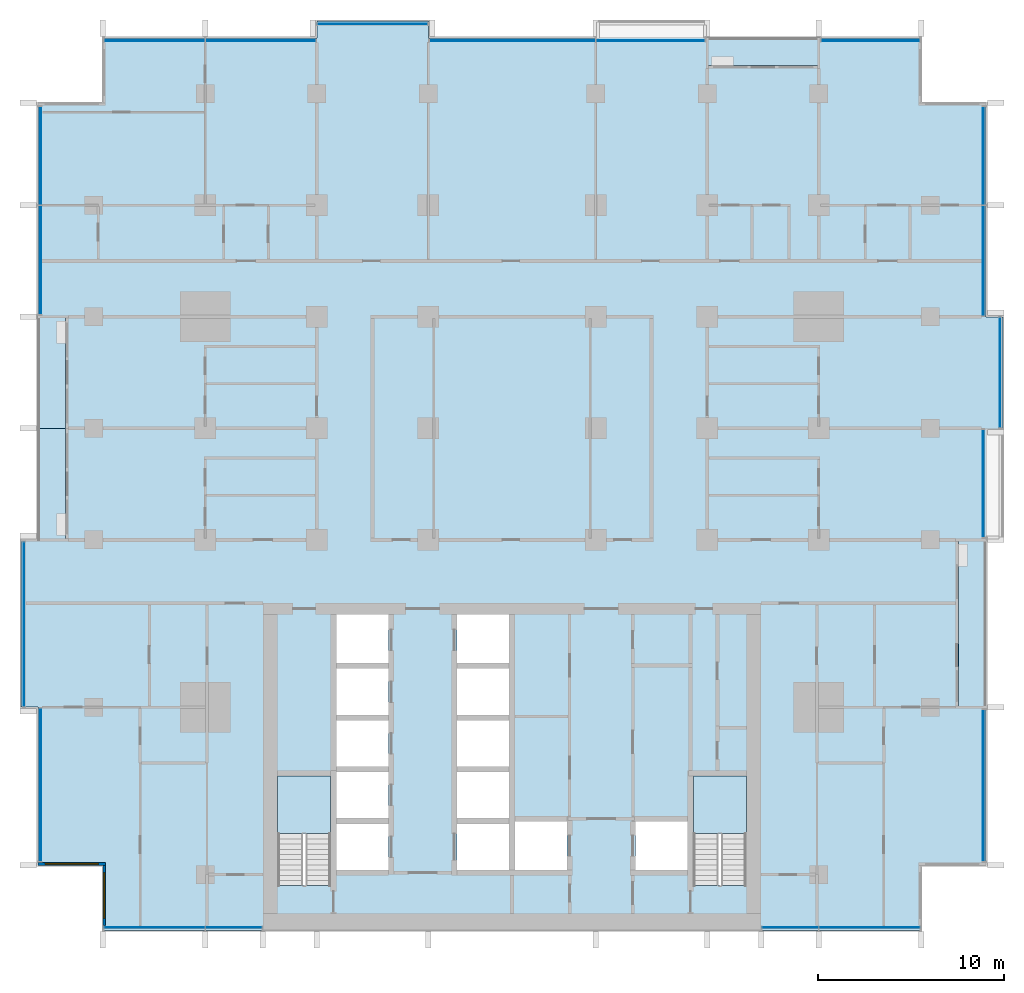
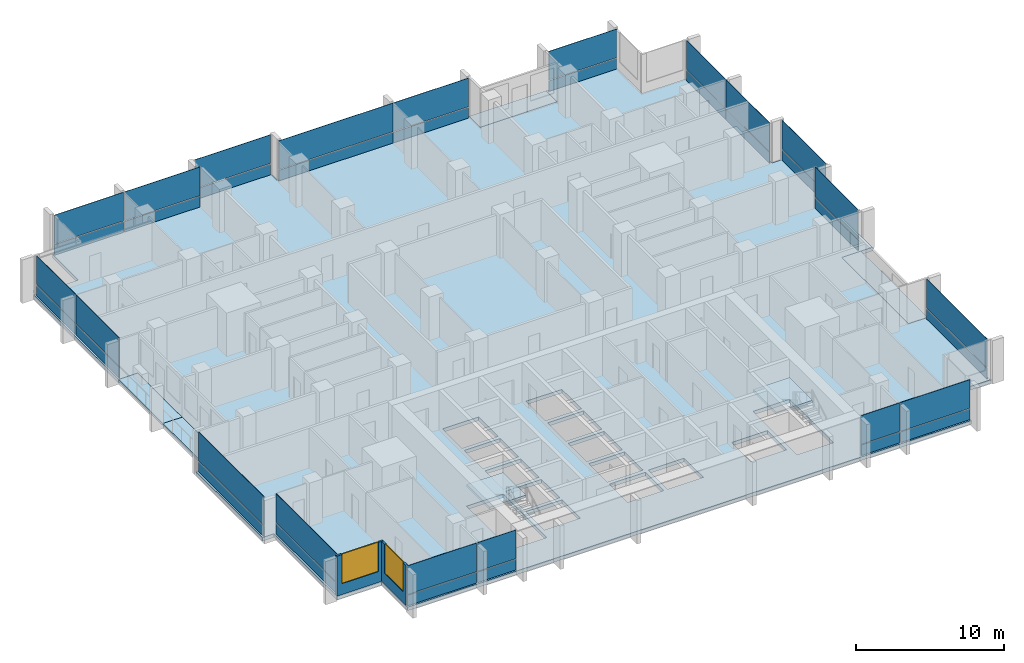
# One storey, part 6 of 17: 38 plates, 7 slabs, 2 walls, 2 windows, 2 openings, 15 elements without a shape of their own.
"""IFC4 building model written with IfcOpenShell, lengths in metres."""

from ifc_helpers import new_model, si_unit, direction, frame, frame_2d, origin, origin_2d, place, context, subcontext, project, spatial, polyline, rectangle, outline, extrude, material, layer, layer_set, type_object, element, fill, aggregate, save


model = new_model("IFC4")

# Units and contexts
model_context = context("Model", 3, precision=1e-05, world=origin(), true_north=direction((0.0, 1.0)))
body_context = subcontext(model_context, "Body", "Model", "MODEL_VIEW")
ifc_project = project(units=[si_unit("LENGTHUNIT", "METRE"), si_unit("AREAUNIT", "SQUARE_METRE"), si_unit("VOLUMEUNIT", "CUBIC_METRE"), si_unit("PLANEANGLEUNIT", "RADIAN"), si_unit("MASSUNIT", "GRAM", prefix="KILO")], contexts=[model_context])

# Site, building, storey
site_placement = place(None, origin())
site = spatial("IfcSite", under=ifc_project, at=site_placement, CompositionType="ELEMENT")
building_placement = place(site_placement, origin())
building = spatial("IfcBuilding", under=site, at=building_placement, Name="Finial Court Residences", CompositionType="ELEMENT")
storey_placement = place(building_placement, frame((0.0, 0.0, 117.10009765625)))
storey = spatial("IfcBuildingStorey", under=building, at=storey_placement, Name="L29", CompositionType="ELEMENT", Elevation=117.10009765625)

# Slabs
ifc_material_1 = material(Name="Concrete C35/45", Category="concrete")
ifc_layer_1 = layer(ifc_material_1, 0.199951171875)
ifc_layer_set_1 = layer_set([ifc_layer_1], Name="Balcony slab, Concrete C35/45 200")
slab_type_1 = type_object("IfcSlabType", Name="Balcony slab, Concrete C35/45 200", PredefinedType="FLOOR", material=ifc_layer_set_1)
slab_1_placement = place(storey_placement, frame((0.0, 0.0, -0.2001953125)))
element("IfcSlab", 1, at=slab_1_placement, inside=storey, type_object=slab_type_1, Name="Balcony L29-N6", PredefinedType="FLOOR", context=body_context, shape_type="SweptSolid", body=[
    extrude(outline(polyline([(16.5, 21.0), (16.5, 22.5), (10.5, 22.5), (10.5, 21.0), (16.5, 21.0)])), origin(), (0.0, 0.0, 1.0), 0.2001953125),
])
slab_2_placement = place(storey_placement, frame((0.0, 0.0, -0.2001953125)))
element("IfcSlab", 2, at=slab_2_placement, inside=storey, type_object=slab_type_1, Name="Balcony L29-E2", PredefinedType="FLOOR", context=body_context, shape_type="SweptSolid", body=[
    extrude(outline(polyline([(25.5, -13.5), (25.5, -4.5), (24.0, -4.5), (24.0, -13.5), (25.5, -13.5)])), origin(), (0.0, 0.0, 1.0), 0.2001953125),
])
slab_3_placement = place(storey_placement, frame((0.0, 0.0, -0.2001953125)))
element("IfcSlab", 3, at=slab_3_placement, inside=storey, type_object=slab_type_1, Name="Balcony L29-W3", PredefinedType="FLOOR", context=body_context, shape_type="SweptSolid", body=[
    extrude(outline(polyline([(-24.0, -4.5), (-24.0, 1.5), (-25.5, 1.5), (-25.5, -4.5), (-24.0, -4.5)])), origin(), (0.0, 0.0, 1.0), 0.2001953125),
])
slab_4_placement = place(storey_placement, frame((0.0, 0.0, -0.2001953125)))
element("IfcSlab", 4, at=slab_4_placement, inside=storey, type_object=slab_type_1, Name="Balcony L29-W4", PredefinedType="FLOOR", context=body_context, shape_type="SweptSolid", body=[
    extrude(outline(polyline([(-24.0, 1.5), (-24.0, 7.5), (-25.5, 7.5), (-25.5, 1.5), (-24.0, 1.5)])), origin(), (0.0, 0.0, 1.0), 0.2001953125),
])

# Curtain wall, plates
ifc_material_2 = material(Name="Bronze anodised aluminium", Category="aluminium")
curtain_wall_type = type_object("IfcCurtainWallType", Name="Unitised curtain wall, lower and middle zones", PredefinedType="NOTDEFINED", material=ifc_material_2)
curtain_wall_1_placement = place(storey_placement, origin())
curtain_wall_1 = element("IfcCurtainWall", 5, at=curtain_wall_1_placement, inside=storey, type_object=curtain_wall_type, Name="E-L29-CW-N1", PredefinedType="NOTDEFINED")
ifc_layer_2 = layer(ifc_material_2, 0.0400390625)
ifc_layer_set_2 = layer_set([ifc_layer_2], Name="CW1 spandrel panel 40")
plate_type_1 = type_object("IfcPlateType", Name="CW1 spandrel panel 40", PredefinedType="CURTAIN_PANEL", material=ifc_layer_set_2)
plate_1_placement = place(storey_placement, frame((-19.23388671875, 22.35009765625, 0.0), z_axis=(0.0, 0.0, 1.0), x_axis=(1.0, 0.0, 0.0)))
plate_1 = element("IfcPlate", 6, at=plate_1_placement, type_object=plate_type_1, Name="CW1 spandrel 1.1", PredefinedType="CURTAIN_PANEL", context=body_context, shape_type="SweptSolid", body=[
    extrude(rectangle(XDim=5.402587890625, YDim=0.0400390625, at=origin_2d()), origin(), (0.0, 0.0, 1.0), 0.867431640625),
])
plate_2_placement = place(storey_placement, frame((-13.516357421875, 22.35009765625, 0.0), z_axis=(0.0, 0.0, 1.0), x_axis=(1.0, 0.0, 0.0)))
plate_2 = element("IfcPlate", 7, at=plate_2_placement, type_object=plate_type_1, Name="CW1 spandrel 2.1", PredefinedType="CURTAIN_PANEL", context=body_context, shape_type="SweptSolid", body=[
    extrude(rectangle(XDim=5.902587890625, YDim=0.0400390625, at=origin_2d()), origin(), (0.0, 0.0, 1.0), 0.867431640625),
])

# Curtain wall, plate
curtain_wall_2_placement = place(storey_placement, origin())
curtain_wall_2 = element("IfcCurtainWall", 8, at=curtain_wall_2_placement, inside=storey, type_object=curtain_wall_type, Name="E-L29-CW-N2", PredefinedType="NOTDEFINED")
plate_3_placement = place(storey_placement, frame((-7.5, 23.25, 0.0), z_axis=(0.0, 0.0, 1.0), x_axis=(1.0, 0.0, 0.0)))
plate_3 = element("IfcPlate", 9, at=plate_3_placement, type_object=plate_type_1, Name="CW1 spandrel 1.1", PredefinedType="CURTAIN_PANEL", context=body_context, shape_type="SweptSolid", body=[
    extrude(rectangle(XDim=5.8701171875, YDim=0.0400390625, at=origin_2d()), origin(), (0.0, 0.0, 1.0), 0.867431640625),
])

# Curtain wall, plates
curtain_wall_3_placement = place(storey_placement, origin())
curtain_wall_3 = element("IfcCurtainWall", 10, at=curtain_wall_3_placement, inside=storey, type_object=curtain_wall_type, Name="E-L29-CW-N3", PredefinedType="NOTDEFINED")
plate_4_placement = place(storey_placement, frame((0.01611328125, 22.35009765625, 0.0), z_axis=(0.0, 0.0, 1.0), x_axis=(1.0, 0.0, 0.0)))
plate_4 = element("IfcPlate", 11, at=plate_4_placement, type_object=plate_type_1, Name="CW1 spandrel 1.1", PredefinedType="CURTAIN_PANEL", context=body_context, shape_type="SweptSolid", body=[
    extrude(rectangle(XDim=8.902587890625, YDim=0.0400390625, at=origin_2d()), origin(), (0.0, 0.0, 1.0), 0.867431640625),
])
plate_5_placement = place(storey_placement, frame((7.4462890625, 22.35009765625, 0.0), z_axis=(0.0, 0.0, 1.0), x_axis=(1.0, 0.0, 0.0)))
plate_5 = element("IfcPlate", 12, at=plate_5_placement, type_object=plate_type_1, Name="CW1 spandrel 2.1", PredefinedType="CURTAIN_PANEL", context=body_context, shape_type="SweptSolid", body=[
    extrude(rectangle(XDim=5.827392578125, YDim=0.0400390625, at=origin_2d()), origin(), (0.0, 0.0, 1.0), 0.867431640625),
])

# Curtain wall, plate
curtain_wall_4_placement = place(storey_placement, origin())
curtain_wall_4 = element("IfcCurtainWall", 13, at=curtain_wall_4_placement, inside=storey, type_object=curtain_wall_type, Name="E-L29-CW-N4", PredefinedType="NOTDEFINED")
plate_6_placement = place(storey_placement, frame((19.28759765625, 22.35009765625, 0.0), z_axis=(0.0, 0.0, 1.0), x_axis=(1.0, 0.0, 0.0)))
plate_6 = element("IfcPlate", 14, at=plate_6_placement, type_object=plate_type_1, Name="CW1 spandrel 1.1", PredefinedType="CURTAIN_PANEL", context=body_context, shape_type="SweptSolid", body=[
    extrude(rectangle(XDim=5.294921875, YDim=0.0400390625, at=origin_2d()), origin(), (0.0, 0.0, 1.0), 0.867431640625),
])

curtain_wall_5_placement = place(storey_placement, origin())
curtain_wall_5 = element("IfcCurtainWall", 15, at=curtain_wall_5_placement, inside=storey, type_object=curtain_wall_type, Name="E-L29-CW-E5", PredefinedType="NOTDEFINED")
plate_7_placement = place(storey_placement, frame((25.35009765625, -17.71240234375, 0.0), z_axis=(0.0, 0.0, 1.0), x_axis=(0.0, 1.0, 0.0)))
plate_7 = element("IfcPlate", 16, at=plate_7_placement, type_object=plate_type_1, Name="CW1 spandrel 1.1", PredefinedType="CURTAIN_PANEL", context=body_context, shape_type="SweptSolid", body=[
    extrude(rectangle(XDim=8.14501953125, YDim=0.0400390625, at=origin_2d()), origin(), (0.0, 0.0, 1.0), 0.867431640625),
])

curtain_wall_6_placement = place(storey_placement, origin())
curtain_wall_6 = element("IfcCurtainWall", 17, at=curtain_wall_6_placement, inside=storey, type_object=curtain_wall_type, Name="E-L29-CW-E6", PredefinedType="NOTDEFINED")
plate_8_placement = place(storey_placement, frame((25.35009765625, -1.46240234375, 0.0), z_axis=(0.0, 0.0, 1.0), x_axis=(0.0, 1.0, 0.0)))
plate_8 = element("IfcPlate", 18, at=plate_8_placement, type_object=plate_type_1, Name="CW1 spandrel 1.1", PredefinedType="CURTAIN_PANEL", context=body_context, shape_type="SweptSolid", body=[
    extrude(rectangle(XDim=5.794921875, YDim=0.0400390625, at=origin_2d()), origin(), (0.0, 0.0, 1.0), 0.867431640625),
])

curtain_wall_7_placement = place(storey_placement, origin())
curtain_wall_7 = element("IfcCurtainWall", 19, at=curtain_wall_7_placement, inside=storey, type_object=curtain_wall_type, Name="E-L29-CW-E7", PredefinedType="NOTDEFINED")
plate_9_placement = place(storey_placement, frame((26.25, 4.5, 0.0), z_axis=(0.0, 0.0, 1.0), x_axis=(0.0, 1.0, 0.0)))
plate_9 = element("IfcPlate", 20, at=plate_9_placement, type_object=plate_type_1, Name="CW1 spandrel 1.1", PredefinedType="CURTAIN_PANEL", context=body_context, shape_type="SweptSolid", body=[
    extrude(rectangle(XDim=5.8701171875, YDim=0.0400390625, at=origin_2d()), origin(), (0.0, 0.0, 1.0), 0.867431640625),
])

# Curtain wall, plates
curtain_wall_8_placement = place(storey_placement, origin())
curtain_wall_8 = element("IfcCurtainWall", 21, at=curtain_wall_8_placement, inside=storey, type_object=curtain_wall_type, Name="E-L29-CW-E8", PredefinedType="NOTDEFINED")
plate_10_placement = place(storey_placement, frame((25.35009765625, 10.51611328125, 0.0), z_axis=(0.0, 0.0, 1.0), x_axis=(0.0, 1.0, 0.0)))
plate_10 = element("IfcPlate", 22, at=plate_10_placement, type_object=plate_type_1, Name="CW1 spandrel 1.1", PredefinedType="CURTAIN_PANEL", context=body_context, shape_type="SweptSolid", body=[
    extrude(rectangle(XDim=5.902587890625, YDim=0.0400390625, at=origin_2d()), origin(), (0.0, 0.0, 1.0), 0.867431640625),
])
plate_11_placement = place(storey_placement, frame((25.35009765625, 16.15869140625, 0.0), z_axis=(0.0, 0.0, 1.0), x_axis=(0.0, 1.0, 0.0)))
plate_11 = element("IfcPlate", 23, at=plate_11_placement, type_object=plate_type_1, Name="CW1 spandrel 2.1", PredefinedType="CURTAIN_PANEL", context=body_context, shape_type="SweptSolid", body=[
    extrude(rectangle(XDim=5.25244140625, YDim=0.0400390625, at=origin_2d()), origin(), (0.0, 0.0, 1.0), 0.867431640625),
])

curtain_wall_9_placement = place(storey_placement, origin())
curtain_wall_9 = element("IfcCurtainWall", 24, at=curtain_wall_9_placement, inside=storey, type_object=curtain_wall_type, Name="E-L29-CW-S9", PredefinedType="NOTDEFINED")
plate_12_placement = place(storey_placement, frame((-19.23388671875, -25.35009765625, 0.0), z_axis=(0.0, 0.0, 1.0), x_axis=(1.0, 0.0, 0.0)))
plate_12 = element("IfcPlate", 25, at=plate_12_placement, type_object=plate_type_1, Name="CW1 spandrel 1.1", PredefinedType="CURTAIN_PANEL", context=body_context, shape_type="SweptSolid", body=[
    extrude(rectangle(XDim=5.402587890625, YDim=0.0400390625, at=origin_2d()), origin(), (0.0, 0.0, 1.0), 0.867431640625),
])
plate_13_placement = place(storey_placement, frame((-14.96630859375, -25.35009765625, 0.0), z_axis=(0.0, 0.0, 1.0), x_axis=(1.0, 0.0, 0.0)))
plate_13 = element("IfcPlate", 26, at=plate_13_placement, type_object=plate_type_1, Name="CW1 spandrel 2.1", PredefinedType="CURTAIN_PANEL", context=body_context, shape_type="SweptSolid", body=[
    extrude(rectangle(XDim=3.00244140625, YDim=0.0400390625, at=origin_2d()), origin(), (0.0, 0.0, 1.0), 0.867431640625),
])

curtain_wall_10_placement = place(storey_placement, origin())
curtain_wall_10 = element("IfcCurtainWall", 27, at=curtain_wall_10_placement, inside=storey, type_object=curtain_wall_type, Name="E-L29-CW-S10", PredefinedType="NOTDEFINED")
plate_14_placement = place(storey_placement, frame((14.96630859375, -25.35009765625, 0.0), z_axis=(0.0, 0.0, 1.0), x_axis=(1.0, 0.0, 0.0)))
plate_14 = element("IfcPlate", 28, at=plate_14_placement, type_object=plate_type_1, Name="CW1 spandrel 1.1", PredefinedType="CURTAIN_PANEL", context=body_context, shape_type="SweptSolid", body=[
    extrude(rectangle(XDim=3.00244140625, YDim=0.0400390625, at=origin_2d()), origin(), (0.0, 0.0, 1.0), 0.867431640625),
])
plate_15_placement = place(storey_placement, frame((19.23388671875, -25.35009765625, 0.0), z_axis=(0.0, 0.0, 1.0), x_axis=(1.0, 0.0, 0.0)))
plate_15 = element("IfcPlate", 29, at=plate_15_placement, type_object=plate_type_1, Name="CW1 spandrel 2.1", PredefinedType="CURTAIN_PANEL", context=body_context, shape_type="SweptSolid", body=[
    extrude(rectangle(XDim=5.402587890625, YDim=0.0400390625, at=origin_2d()), origin(), (0.0, 0.0, 1.0), 0.867431640625),
])

# Curtain wall, plate
curtain_wall_11_placement = place(storey_placement, origin())
curtain_wall_11 = element("IfcCurtainWall", 30, at=curtain_wall_11_placement, inside=storey, type_object=curtain_wall_type, Name="E-L29-CW-W11", PredefinedType="NOTDEFINED")
plate_16_placement = place(storey_placement, frame((-25.35009765625, -17.675048828125, 0.0), z_axis=(0.0, 0.0, 1.0), x_axis=(0.0, 1.0, 0.0)))
plate_16 = element("IfcPlate", 31, at=plate_16_placement, type_object=plate_type_1, Name="CW1 spandrel 1.1", PredefinedType="CURTAIN_PANEL", context=body_context, shape_type="SweptSolid", body=[
    extrude(rectangle(XDim=8.219970703125, YDim=0.0400390625, at=origin_2d()), origin(), (0.0, 0.0, 1.0), 0.867431640625),
])

curtain_wall_12_placement = place(storey_placement, origin())
curtain_wall_12 = element("IfcCurtainWall", 32, at=curtain_wall_12_placement, inside=storey, type_object=curtain_wall_type, Name="E-L29-CW-W12", PredefinedType="NOTDEFINED")
plate_17_placement = place(storey_placement, frame((-26.25, -9.03759765625, 0.0), z_axis=(0.0, 0.0, 1.0), x_axis=(0.0, 1.0, 0.0)))
plate_17 = element("IfcPlate", 33, at=plate_17_placement, type_object=plate_type_1, Name="CW1 spandrel 1.1", PredefinedType="CURTAIN_PANEL", context=body_context, shape_type="SweptSolid", body=[
    extrude(rectangle(XDim=8.794921875, YDim=0.0400390625, at=origin_2d()), origin(), (0.0, 0.0, 1.0), 0.867431640625),
])

# Curtain wall, plates
curtain_wall_13_placement = place(storey_placement, origin())
curtain_wall_13 = element("IfcCurtainWall", 34, at=curtain_wall_13_placement, inside=storey, type_object=curtain_wall_type, Name="E-L29-CW-W13", PredefinedType="NOTDEFINED")
plate_18_placement = place(storey_placement, frame((-25.35009765625, 10.5537109375, 0.0), z_axis=(0.0, 0.0, 1.0), x_axis=(0.0, 1.0, 0.0)))
plate_18 = element("IfcPlate", 35, at=plate_18_placement, type_object=plate_type_1, Name="CW1 spandrel 1.1", PredefinedType="CURTAIN_PANEL", context=body_context, shape_type="SweptSolid", body=[
    extrude(rectangle(XDim=5.827392578125, YDim=0.0400390625, at=origin_2d()), origin(), (0.0, 0.0, 1.0), 0.867431640625),
])
plate_19_placement = place(storey_placement, frame((-25.35009765625, 16.15869140625, 0.0), z_axis=(0.0, 0.0, 1.0), x_axis=(0.0, 1.0, 0.0)))
plate_19 = element("IfcPlate", 36, at=plate_19_placement, type_object=plate_type_1, Name="CW1 spandrel 2.1", PredefinedType="CURTAIN_PANEL", context=body_context, shape_type="SweptSolid", body=[
    extrude(rectangle(XDim=5.25244140625, YDim=0.0400390625, at=origin_2d()), origin(), (0.0, 0.0, 1.0), 0.867431640625),
])

# Plate
ifc_material_3 = material(Name="Clear low-e glass", Category="glass")
ifc_layer_3 = layer(ifc_material_3, 0.031982421875)
ifc_layer_set_3 = layer_set([ifc_layer_3], Name="CW1 vision glass 32")
plate_type_2 = type_object("IfcPlateType", Name="CW1 vision glass 32", PredefinedType="CURTAIN_PANEL", material=ifc_layer_set_3)
plate_20_placement = place(storey_placement, frame((-19.23388671875, 22.35009765625, 0.9326171875), z_axis=(0.0, 0.0, 1.0), x_axis=(1.0, 0.0, 0.0)))
plate_20 = element("IfcPlate", 37, at=plate_20_placement, type_object=plate_type_2, Name="CW1 glass 1.2", PredefinedType="CURTAIN_PANEL", context=body_context, shape_type="SweptSolid", body=[
    extrude(rectangle(XDim=5.402587890625, YDim=0.031982421875, at=origin_2d()), origin(), (0.0, 0.0, 1.0), 2.367431640625),
])

plate_21_placement = place(storey_placement, frame((-13.516357421875, 22.35009765625, 0.9326171875), z_axis=(0.0, 0.0, 1.0), x_axis=(1.0, 0.0, 0.0)))
plate_21 = element("IfcPlate", 38, at=plate_21_placement, type_object=plate_type_2, Name="CW1 glass 2.2", PredefinedType="CURTAIN_PANEL", context=body_context, shape_type="SweptSolid", body=[
    extrude(rectangle(XDim=5.902587890625, YDim=0.031982421875, at=origin_2d()), origin(), (0.0, 0.0, 1.0), 2.367431640625),
])

aggregate(curtain_wall_1, [plate_1, plate_20, plate_2, plate_21])

plate_22_placement = place(storey_placement, frame((-7.5, 23.25, 0.9326171875), z_axis=(0.0, 0.0, 1.0), x_axis=(1.0, 0.0, 0.0)))
plate_22 = element("IfcPlate", 39, at=plate_22_placement, type_object=plate_type_2, Name="CW1 glass 1.2", PredefinedType="CURTAIN_PANEL", context=body_context, shape_type="SweptSolid", body=[
    extrude(rectangle(XDim=5.8701171875, YDim=0.031982421875, at=origin_2d()), origin(), (0.0, 0.0, 1.0), 2.367431640625),
])

aggregate(curtain_wall_2, [plate_3, plate_22])

plate_23_placement = place(storey_placement, frame((0.01611328125, 22.35009765625, 0.9326171875), z_axis=(0.0, 0.0, 1.0), x_axis=(1.0, 0.0, 0.0)))
plate_23 = element("IfcPlate", 40, at=plate_23_placement, type_object=plate_type_2, Name="CW1 glass 1.2", PredefinedType="CURTAIN_PANEL", context=body_context, shape_type="SweptSolid", body=[
    extrude(rectangle(XDim=8.902587890625, YDim=0.031982421875, at=origin_2d()), origin(), (0.0, 0.0, 1.0), 2.367431640625),
])

plate_24_placement = place(storey_placement, frame((7.4462890625, 22.35009765625, 0.9326171875), z_axis=(0.0, 0.0, 1.0), x_axis=(1.0, 0.0, 0.0)))
plate_24 = element("IfcPlate", 41, at=plate_24_placement, type_object=plate_type_2, Name="CW1 glass 2.2", PredefinedType="CURTAIN_PANEL", context=body_context, shape_type="SweptSolid", body=[
    extrude(rectangle(XDim=5.827392578125, YDim=0.031982421875, at=origin_2d()), origin(), (0.0, 0.0, 1.0), 2.367431640625),
])

aggregate(curtain_wall_3, [plate_4, plate_23, plate_5, plate_24])

plate_25_placement = place(storey_placement, frame((19.28759765625, 22.35009765625, 0.9326171875), z_axis=(0.0, 0.0, 1.0), x_axis=(1.0, 0.0, 0.0)))
plate_25 = element("IfcPlate", 42, at=plate_25_placement, type_object=plate_type_2, Name="CW1 glass 1.2", PredefinedType="CURTAIN_PANEL", context=body_context, shape_type="SweptSolid", body=[
    extrude(rectangle(XDim=5.294921875, YDim=0.031982421875, at=origin_2d()), origin(), (0.0, 0.0, 1.0), 2.367431640625),
])

aggregate(curtain_wall_4, [plate_6, plate_25])

plate_26_placement = place(storey_placement, frame((25.35009765625, -17.71240234375, 0.9326171875), z_axis=(0.0, 0.0, 1.0), x_axis=(0.0, 1.0, 0.0)))
plate_26 = element("IfcPlate", 43, at=plate_26_placement, type_object=plate_type_2, Name="CW1 glass 1.2", PredefinedType="CURTAIN_PANEL", context=body_context, shape_type="SweptSolid", body=[
    extrude(rectangle(XDim=8.14501953125, YDim=0.031982421875, at=origin_2d()), origin(), (0.0, 0.0, 1.0), 2.367431640625),
])

aggregate(curtain_wall_5, [plate_7, plate_26])

plate_27_placement = place(storey_placement, frame((25.35009765625, -1.46240234375, 0.93212890625), z_axis=(0.0, 0.0, 1.0), x_axis=(0.0, 1.0, 0.0)))
plate_27 = element("IfcPlate", 44, at=plate_27_placement, type_object=plate_type_2, Name="CW1 glass 1.2", PredefinedType="CURTAIN_PANEL", context=body_context, shape_type="SweptSolid", body=[
    extrude(rectangle(XDim=5.794921875, YDim=0.031982421875, at=origin_2d()), origin(), (0.0, 0.0, 1.0), 2.467529296875),
])

aggregate(curtain_wall_6, [plate_8, plate_27])

plate_28_placement = place(storey_placement, frame((26.25, 4.5, 0.9326171875), z_axis=(0.0, 0.0, 1.0), x_axis=(0.0, 1.0, 0.0)))
plate_28 = element("IfcPlate", 45, at=plate_28_placement, type_object=plate_type_2, Name="CW1 glass 1.2", PredefinedType="CURTAIN_PANEL", context=body_context, shape_type="SweptSolid", body=[
    extrude(rectangle(XDim=5.8701171875, YDim=0.031982421875, at=origin_2d()), origin(), (0.0, 0.0, 1.0), 2.367431640625),
])

aggregate(curtain_wall_7, [plate_9, plate_28])

plate_29_placement = place(storey_placement, frame((25.35009765625, 10.51611328125, 0.9326171875), z_axis=(0.0, 0.0, 1.0), x_axis=(0.0, 1.0, 0.0)))
plate_29 = element("IfcPlate", 46, at=plate_29_placement, type_object=plate_type_2, Name="CW1 glass 1.2", PredefinedType="CURTAIN_PANEL", context=body_context, shape_type="SweptSolid", body=[
    extrude(rectangle(XDim=5.902587890625, YDim=0.031982421875, at=origin_2d()), origin(), (0.0, 0.0, 1.0), 2.367431640625),
])

plate_30_placement = place(storey_placement, frame((25.35009765625, 16.15869140625, 0.9326171875), z_axis=(0.0, 0.0, 1.0), x_axis=(0.0, 1.0, 0.0)))
plate_30 = element("IfcPlate", 47, at=plate_30_placement, type_object=plate_type_2, Name="CW1 glass 2.2", PredefinedType="CURTAIN_PANEL", context=body_context, shape_type="SweptSolid", body=[
    extrude(rectangle(XDim=5.25244140625, YDim=0.031982421875, at=origin_2d()), origin(), (0.0, 0.0, 1.0), 2.367431640625),
])

aggregate(curtain_wall_8, [plate_10, plate_29, plate_11, plate_30])

plate_31_placement = place(storey_placement, frame((-19.23388671875, -25.35009765625, 0.9326171875), z_axis=(0.0, 0.0, 1.0), x_axis=(1.0, 0.0, 0.0)))
plate_31 = element("IfcPlate", 48, at=plate_31_placement, type_object=plate_type_2, Name="CW1 glass 1.2", PredefinedType="CURTAIN_PANEL", context=body_context, shape_type="SweptSolid", body=[
    extrude(rectangle(XDim=5.402587890625, YDim=0.031982421875, at=origin_2d()), origin(), (0.0, 0.0, 1.0), 2.367431640625),
])

plate_32_placement = place(storey_placement, frame((-14.96630859375, -25.35009765625, 0.9326171875), z_axis=(0.0, 0.0, 1.0), x_axis=(1.0, 0.0, 0.0)))
plate_32 = element("IfcPlate", 49, at=plate_32_placement, type_object=plate_type_2, Name="CW1 glass 2.2", PredefinedType="CURTAIN_PANEL", context=body_context, shape_type="SweptSolid", body=[
    extrude(rectangle(XDim=3.00244140625, YDim=0.031982421875, at=origin_2d()), origin(), (0.0, 0.0, 1.0), 2.367431640625),
])

aggregate(curtain_wall_9, [plate_12, plate_31, plate_13, plate_32])

plate_33_placement = place(storey_placement, frame((14.96630859375, -25.35009765625, 0.9326171875), z_axis=(0.0, 0.0, 1.0), x_axis=(1.0, 0.0, 0.0)))
plate_33 = element("IfcPlate", 50, at=plate_33_placement, type_object=plate_type_2, Name="CW1 glass 1.2", PredefinedType="CURTAIN_PANEL", context=body_context, shape_type="SweptSolid", body=[
    extrude(rectangle(XDim=3.00244140625, YDim=0.031982421875, at=origin_2d()), origin(), (0.0, 0.0, 1.0), 2.367431640625),
])

plate_34_placement = place(storey_placement, frame((19.23388671875, -25.35009765625, 0.9326171875), z_axis=(0.0, 0.0, 1.0), x_axis=(1.0, 0.0, 0.0)))
plate_34 = element("IfcPlate", 51, at=plate_34_placement, type_object=plate_type_2, Name="CW1 glass 2.2", PredefinedType="CURTAIN_PANEL", context=body_context, shape_type="SweptSolid", body=[
    extrude(rectangle(XDim=5.402587890625, YDim=0.031982421875, at=origin_2d()), origin(), (0.0, 0.0, 1.0), 2.367431640625),
])

aggregate(curtain_wall_10, [plate_14, plate_33, plate_15, plate_34])

plate_35_placement = place(storey_placement, frame((-25.35009765625, -17.675048828125, 0.9326171875), z_axis=(0.0, 0.0, 1.0), x_axis=(0.0, 1.0, 0.0)))
plate_35 = element("IfcPlate", 52, at=plate_35_placement, type_object=plate_type_2, Name="CW1 glass 1.2", PredefinedType="CURTAIN_PANEL", context=body_context, shape_type="SweptSolid", body=[
    extrude(rectangle(XDim=8.219970703125, YDim=0.031982421875, at=origin_2d()), origin(), (0.0, 0.0, 1.0), 2.367431640625),
])

aggregate(curtain_wall_11, [plate_16, plate_35])

plate_36_placement = place(storey_placement, frame((-26.25, -9.03759765625, 0.9326171875), z_axis=(0.0, 0.0, 1.0), x_axis=(0.0, 1.0, 0.0)))
plate_36 = element("IfcPlate", 53, at=plate_36_placement, type_object=plate_type_2, Name="CW1 glass 1.2", PredefinedType="CURTAIN_PANEL", context=body_context, shape_type="SweptSolid", body=[
    extrude(rectangle(XDim=8.794921875, YDim=0.031982421875, at=origin_2d()), origin(), (0.0, 0.0, 1.0), 2.367431640625),
])

aggregate(curtain_wall_12, [plate_17, plate_36])

plate_37_placement = place(storey_placement, frame((-25.35009765625, 10.5537109375, 0.9326171875), z_axis=(0.0, 0.0, 1.0), x_axis=(0.0, 1.0, 0.0)))
plate_37 = element("IfcPlate", 54, at=plate_37_placement, type_object=plate_type_2, Name="CW1 glass 1.2", PredefinedType="CURTAIN_PANEL", context=body_context, shape_type="SweptSolid", body=[
    extrude(rectangle(XDim=5.827392578125, YDim=0.031982421875, at=origin_2d()), origin(), (0.0, 0.0, 1.0), 2.367431640625),
])

plate_38_placement = place(storey_placement, frame((-25.35009765625, 16.15869140625, 0.9326171875), z_axis=(0.0, 0.0, 1.0), x_axis=(0.0, 1.0, 0.0)))
plate_38 = element("IfcPlate", 55, at=plate_38_placement, type_object=plate_type_2, Name="CW1 glass 2.2", PredefinedType="CURTAIN_PANEL", context=body_context, shape_type="SweptSolid", body=[
    extrude(rectangle(XDim=5.25244140625, YDim=0.031982421875, at=origin_2d()), origin(), (0.0, 0.0, 1.0), 2.367431640625),
])

aggregate(curtain_wall_13, [plate_18, plate_37, plate_19, plate_38])

# Stair, slab
ifc_material_4 = material(Name="Concrete C50/60", Category="concrete")
stair_type = type_object("IfcStairType", Name="Exit stair 22 risers of 163.6 mm", PredefinedType="HALF_TURN_STAIR", material=ifc_material_4)
stair_1_placement = place(storey_placement, origin())
stair_1 = element("IfcStair", 56, at=stair_1_placement, inside=storey, type_object=stair_type, Name="L29 Exit stair ST-1", PredefinedType="HALF_TURN_STAIR")
ifc_layer_4 = layer(ifc_material_4, 0.199951171875)
ifc_layer_set_4 = layer_set([ifc_layer_4], Name="Exit stair landing")
slab_type_2 = type_object("IfcSlabType", Name="Exit stair landing", PredefinedType="LANDING", material=ifc_layer_set_4)
slab_5_placement = place(storey_placement, frame((0.0, 0.0, 1.599853515625)))
slab_5 = element("IfcSlab", 57, at=slab_5_placement, type_object=slab_type_2, Name="ST-1 landing 1", PredefinedType="LANDING", context=body_context, shape_type="SweptSolid", body=[
    extrude(outline(polyline([(-9.75, -20.300048828125), (-9.75, -17.199951171875), (-12.60009765625, -17.199951171875), (-12.60009765625, -20.300048828125), (-9.75, -20.300048828125)])), origin(), (0.0, 0.0, 1.0), 0.199951171875),
])
aggregate(stair_1, [slab_5])

stair_2_placement = place(storey_placement, origin())
stair_2 = element("IfcStair", 58, at=stair_2_placement, inside=storey, type_object=stair_type, Name="L29 Exit stair ST-2", PredefinedType="HALF_TURN_STAIR")
slab_6_placement = place(storey_placement, frame((0.0, 0.0, 1.599853515625)))
slab_6 = element("IfcSlab", 59, at=slab_6_placement, type_object=slab_type_2, Name="ST-2 landing 1", PredefinedType="LANDING", context=body_context, shape_type="SweptSolid", body=[
    extrude(outline(polyline([(12.60009765625, -20.300048828125), (12.60009765625, -17.199951171875), (9.75, -17.199951171875), (9.75, -20.300048828125), (12.60009765625, -20.300048828125)])), origin(), (0.0, 0.0, 1.0), 0.199951171875),
])
aggregate(stair_2, [slab_6])

# Slab
ifc_material_5 = material(Name="Concrete C40/50", Category="concrete")
ifc_layer_5 = layer(ifc_material_5, 0.300048828125)
ifc_layer_set_5 = layer_set([ifc_layer_5], Name="Flat plate slab 300 Concrete C40/50")
slab_type_3 = type_object("IfcSlabType", Name="Flat plate slab 300 Concrete C40/50", PredefinedType="FLOOR", material=ifc_layer_set_5)
slab_7_placement = place(storey_placement, frame((0.0, 0.0, -0.300048828125)))
element("IfcSlab", 60, at=slab_7_placement, inside=storey, type_object=slab_type_3, Name="S:SLAB:L29", PredefinedType="FLOOR", context=body_context, shape_type="SweptSolid", body=[
    extrude(outline(polyline([(26.39990234375, -4.5), (25.5, -4.5), (24.0, -4.5), (24.0, -13.5), (25.5, -13.5), (25.5, -22.0), (22.0, -22.0), (22.0, -25.5), (-22.0, -25.5), (-22.0, -22.0), (-25.5, -22.0), (-25.5, -13.5), (-26.39990234375, -13.5), (-26.39990234375, -4.5), (-25.5, -4.5), (-24.0, -4.5), (-24.0, 1.5), (-24.0, 7.5), (-25.5, 7.5), (-25.5, 19.0), (-22.0, 19.0), (-22.0, 22.5), (-10.5, 22.5), (-10.5, 23.39990234375), (-4.5, 23.39990234375), (-4.5, 22.5), (4.5, 22.5), (4.5, 23.39990234375), (10.5, 23.39990234375), (10.5, 22.5), (10.5, 21.0), (16.5, 21.0), (16.5, 22.5), (22.0, 22.5), (22.0, 19.0), (25.5, 19.0), (25.5, 7.5), (26.39990234375, 7.5), (26.39990234375, 1.5), (26.39990234375, -4.5)]), holes=[polyline([(-6.64990234375, -19.77001953125), (-9.449951171875, -19.77001953125), (-9.449951171875, -22.25), (-6.64990234375, -22.25), (-6.64990234375, -19.77001953125)]), polyline([(-9.75, -17.199951171875), (-12.60009765625, -17.199951171875), (-12.60009765625, -23.09912109375), (-9.75, -23.09912109375), (-9.75, -17.199951171875)]), polyline([(-6.64990234375, -19.469970703125), (-6.64990234375, -16.989990234375), (-9.449951171875, -16.989990234375), (-9.449951171875, -19.469970703125), (-6.64990234375, -19.469970703125)]), polyline([(-6.64990234375, -16.68994140625), (-6.64990234375, -14.2099609375), (-9.449951171875, -14.2099609375), (-9.449951171875, -16.68994140625), (-6.64990234375, -16.68994140625)]), polyline([(-6.64990234375, -13.909912109375), (-6.64990234375, -11.429931640625), (-9.449951171875, -11.429931640625), (-9.449951171875, -13.909912109375), (-6.64990234375, -13.909912109375)]), polyline([(-6.64990234375, -11.1298828125), (-6.64990234375, -8.5), (-9.449951171875, -8.5), (-9.449951171875, -11.1298828125), (-6.64990234375, -11.1298828125)]), polyline([(-0.14990234375, -11.1298828125), (-0.14990234375, -8.5), (-2.949951171875, -8.5), (-2.949951171875, -11.1298828125), (-0.14990234375, -11.1298828125)]), polyline([(-0.14990234375, -19.77001953125), (-2.949951171875, -19.77001953125), (-2.949951171875, -22.25), (-0.14990234375, -22.25), (-0.14990234375, -19.77001953125)]), polyline([(2.949951171875, -22.25), (2.949951171875, -19.64990234375), (0.14990234375, -19.64990234375), (0.14990234375, -22.25), (2.949951171875, -22.25)]), polyline([(9.449951171875, -22.25), (9.449951171875, -19.64990234375), (6.64990234375, -19.64990234375), (6.64990234375, -22.25), (9.449951171875, -22.25)]), polyline([(12.60009765625, -17.199951171875), (9.75, -17.199951171875), (9.75, -23.09912109375), (12.60009765625, -23.09912109375), (12.60009765625, -17.199951171875)]), polyline([(-0.14990234375, -19.469970703125), (-0.14990234375, -16.989990234375), (-2.949951171875, -16.989990234375), (-2.949951171875, -19.469970703125), (-0.14990234375, -19.469970703125)]), polyline([(-0.14990234375, -16.68994140625), (-0.14990234375, -14.2099609375), (-2.949951171875, -14.2099609375), (-2.949951171875, -16.68994140625), (-0.14990234375, -16.68994140625)]), polyline([(-0.14990234375, -13.909912109375), (-0.14990234375, -11.429931640625), (-2.949951171875, -11.429931640625), (-2.949951171875, -13.909912109375), (-0.14990234375, -13.909912109375)])]), origin(), (0.0, 0.0, 1.0), 0.300048828125),
])

# Wall, opening, window
ifc_material_6 = material(Name="Natural limestone", Category="masonry")
ifc_layer_6 = layer(ifc_material_6, 0.14990234375)
ifc_layer_set_6 = layer_set([ifc_layer_6], Name="Limestone clad wall 150")
wall_type = type_object("IfcWallType", Name="Limestone clad wall 150", PredefinedType="SOLIDWALL", material=ifc_layer_set_6)
wall_1_placement = place(storey_placement, frame((-21.925048828125, -25.25, 0.0), z_axis=(0.0, 0.0, 1.0), x_axis=(0.0, 1.0, 0.0)))
wall_1 = element("IfcWall", 61, at=wall_1_placement, inside=storey, type_object=wall_type, Name="E-L29-NWW14", PredefinedType="SOLIDWALL", context=body_context, shape_type="SweptSolid", body=[
    extrude(rectangle(XDim=3.25, YDim=0.14990234375, at=frame_2d((1.625, 0.0))), origin(), (0.0, 0.0, 1.0), 3.2998046875),
])
opening_1_placement = place(wall_1_placement, frame((0.39990234375, 0.0, 0.89990234375)))
opening_1 = element("IfcOpeningElement", 62, at=opening_1_placement, cuts=wall_1, Name="Opening WE29-01", PredefinedType="OPENING", context=body_context, shape_type="SweptSolid", body=[
    extrude(rectangle(XDim=2.449951171875, YDim=2.39990234375, at=frame_2d((1.22509765625, 1.199951171875))), frame((0.0, 0.0849609375, 0.0), z_axis=(0.0, -1.0, 0.0), x_axis=(1.0, 0.0, 0.0)), (0.0, 0.0, 1.0), 0.169921875),
])
window_type_1 = type_object("IfcWindowType", Name="Corner window 2450 x 2400", PartitioningType="SINGLE_PANEL", PredefinedType="WINDOW", material=ifc_material_3)
window_1_placement = place(opening_1_placement, origin())
window_1 = element("IfcWindow", 63, at=window_1_placement, inside=storey, type_object=window_type_1, Name="E-L29-NWW14-W1", OverallHeight=2.39990234375, OverallWidth=2.449951171875, PartitioningType="SINGLE_PANEL", PredefinedType="WINDOW", context=body_context, shape_type="SweptSolid", body=[
    extrude(rectangle(XDim=2.449951171875, YDim=2.39990234375, at=frame_2d((1.22509765625, 1.199951171875))), frame((0.0, 0.030029296875, 0.0), z_axis=(0.0, -1.0, 0.0), x_axis=(1.0, 0.0, 0.0)), (0.0, 0.0, 1.0), 0.06005859375),
])
fill(opening_1, window_1)

wall_2_placement = place(storey_placement, frame((-21.85009765625, -21.925048828125, 0.0), z_axis=(0.0, 0.0, 1.0), x_axis=(-1.0, 0.0, 0.0)))
wall_2 = element("IfcWall", 64, at=wall_2_placement, inside=storey, type_object=wall_type, Name="E-L29-NWS15", PredefinedType="SOLIDWALL", context=body_context, shape_type="SweptSolid", body=[
    extrude(rectangle(XDim=3.64990234375, YDim=0.14990234375, at=frame_2d((1.824951171875, 0.0))), origin(), (0.0, 0.0, 1.0), 3.2998046875),
])
opening_2_placement = place(wall_2_placement, frame((0.39990234375, 0.0, 0.89990234375)))
opening_2 = element("IfcOpeningElement", 65, at=opening_2_placement, cuts=wall_2, Name="Opening WE29-02", PredefinedType="OPENING", context=body_context, shape_type="SweptSolid", body=[
    extrude(rectangle(XDim=2.85009765625, YDim=2.39990234375, at=frame_2d((1.425048828125, 1.199951171875))), frame((0.0, 0.0849609375, 0.0), z_axis=(0.0, -1.0, 0.0), x_axis=(1.0, 0.0, 0.0)), (0.0, 0.0, 1.0), 0.169921875),
])
window_type_2 = type_object("IfcWindowType", Name="Corner window 2850 x 2400", PartitioningType="SINGLE_PANEL", PredefinedType="WINDOW", material=ifc_material_3)
window_2_placement = place(opening_2_placement, origin())
window_2 = element("IfcWindow", 66, at=window_2_placement, inside=storey, type_object=window_type_2, Name="E-L29-NWS15-W1", OverallHeight=2.39990234375, OverallWidth=2.85009765625, PartitioningType="SINGLE_PANEL", PredefinedType="WINDOW", context=body_context, shape_type="SweptSolid", body=[
    extrude(rectangle(XDim=2.85009765625, YDim=2.39990234375, at=frame_2d((1.425048828125, 1.199951171875))), frame((0.0, 0.030029296875, 0.0), z_axis=(0.0, -1.0, 0.0), x_axis=(1.0, 0.0, 0.0)), (0.0, 0.0, 1.0), 0.06005859375),
])
fill(opening_2, window_2)

save(model, "model.ifc")
